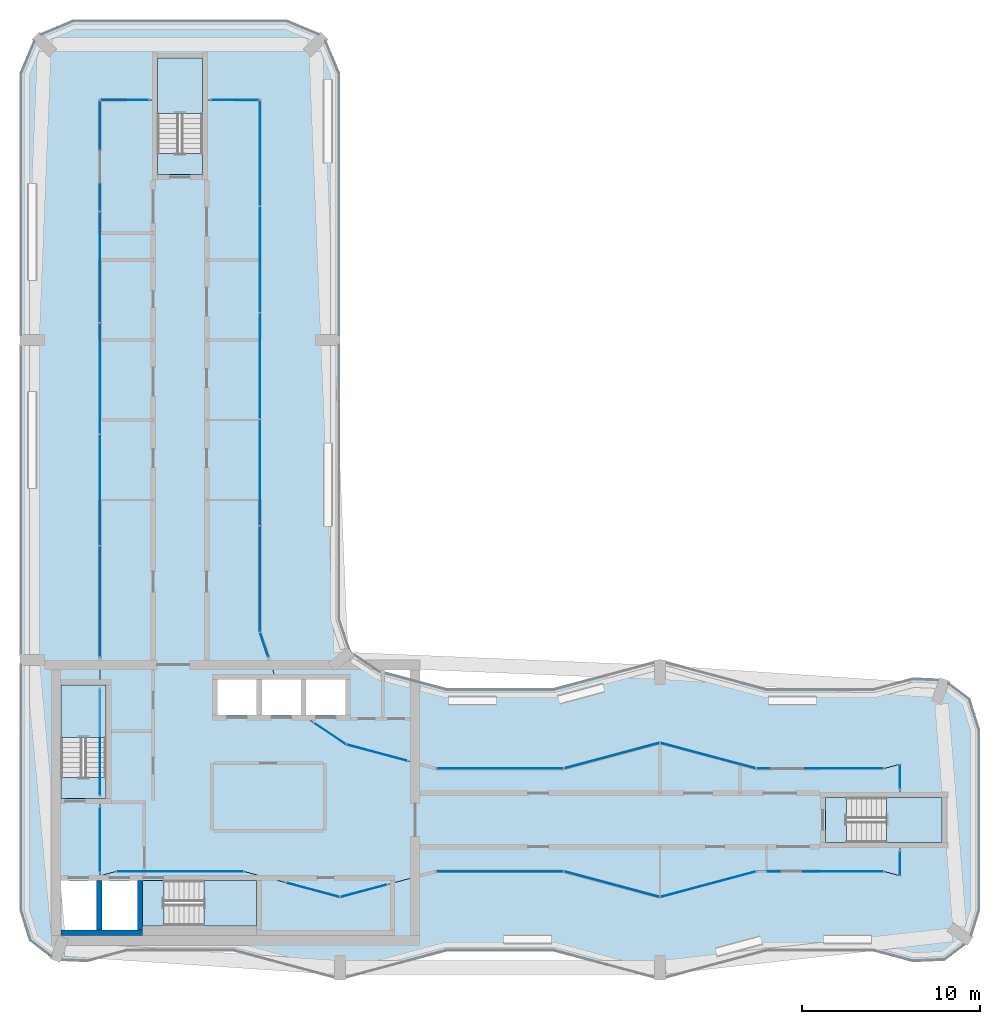
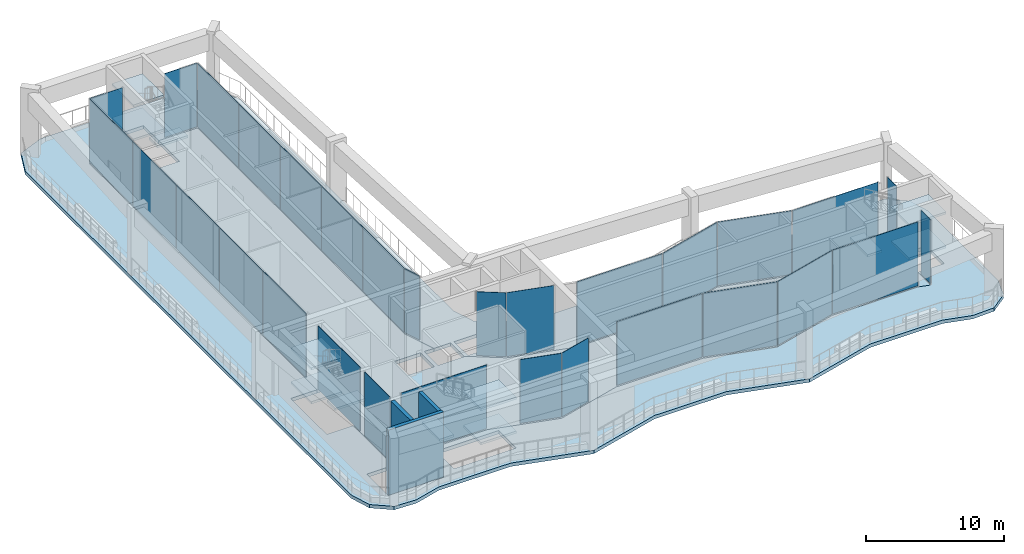
# One storey, part 9 of 17: 30 plates, 14 slabs, 3 walls, 26 elements without a shape of their own.
"""IFC4 building model written with IfcOpenShell, lengths in metres."""

from ifc_helpers import new_model, si_unit, direction, frame, frame_2d, origin, origin_2d, place, context, subcontext, project, spatial, polyline, rectangle, outline, extrude, material, layer, layer_set, type_object, element, aggregate, save


model = new_model("IFC4")

# Units and contexts
model_context = context("Model", 3, precision=1e-05, world=origin(), true_north=direction((0.0, 1.0)))
body_context = subcontext(model_context, "Body", "Model", "MODEL_VIEW")
ifc_project = project(units=[si_unit("LENGTHUNIT", "METRE"), si_unit("AREAUNIT", "SQUARE_METRE"), si_unit("VOLUMEUNIT", "CUBIC_METRE"), si_unit("PLANEANGLEUNIT", "RADIAN"), si_unit("MASSUNIT", "GRAM", prefix="KILO")], contexts=[model_context])

# Site, building, storey
site_placement = place(None, origin())
site = spatial("IfcSite", under=ifc_project, at=site_placement, CompositionType="ELEMENT")
building_placement = place(site_placement, origin())
building = spatial("IfcBuilding", under=site, at=building_placement, Name="Plateau Cross Towers", CompositionType="ELEMENT")
storey_placement = place(building_placement, frame((0.0, 0.0, 184.89990234375)))
storey = spatial("IfcBuildingStorey", under=building, at=storey_placement, Name="L48", CompositionType="ELEMENT", Elevation=184.89990234375)

# Curtain wall, plate
ifc_material_1 = material(Name="Dark low-iron glass", Category="glass")
ifc_layer_1 = layer(ifc_material_1, 0.239990234375)
ifc_layer_set_1 = layer_set([ifc_layer_1], Name="Dark low-iron glass")
curtain_wall_type = type_object("IfcCurtainWallType", Name="Curtain wall flush unitised CW-B", PredefinedType="NOTDEFINED", material=ifc_layer_set_1)
curtain_wall_1_placement = place(storey_placement, origin())
curtain_wall_1 = element("IfcCurtainWall", 1, at=curtain_wall_1_placement, inside=storey, type_object=curtain_wall_type, Name="ENV/A/L48/inner0_45_60", PredefinedType="NOTDEFINED")
ifc_layer_2 = layer(ifc_material_1, 0.031982421875)
ifc_layer_set_2 = layer_set([ifc_layer_2], Name="Dark low-iron glass")
plate_type = type_object("IfcPlateType", Name="Glass panel 32 flush unitised", PredefinedType="CURTAIN_PANEL", material=ifc_layer_set_2)
plate_1_placement = place(storey_placement, frame((4.5, 7.89990234375, 0.1201171875), z_axis=(0.0, 0.0, 1.0), x_axis=(0.0, 1.0, 0.0)))
plate_1 = element("IfcPlate", 2, at=plate_1_placement, type_object=plate_type, Name="CW-B panel 1", PredefinedType="CURTAIN_PANEL", context=body_context, shape_type="SweptSolid", body=[
    extrude(rectangle(XDim=3.639892578125, YDim=0.031982421875, at=origin_2d()), origin(), (0.0, 0.0, 1.0), 5.6298828125),
])
aggregate(curtain_wall_1, [plate_1])

curtain_wall_2_placement = place(storey_placement, origin())
curtain_wall_2 = element("IfcCurtainWall", 3, at=curtain_wall_2_placement, inside=storey, type_object=curtain_wall_type, Name="ENV/A/L48/inner0_45_104", PredefinedType="NOTDEFINED")
plate_2_placement = place(storey_placement, frame((4.5, 13.39990234375, 0.1201171875), z_axis=(0.0, 0.0, 1.0), x_axis=(0.0, 1.0, 0.0)))
plate_2 = element("IfcPlate", 4, at=plate_2_placement, type_object=plate_type, Name="CW-B panel 1", PredefinedType="CURTAIN_PANEL", context=body_context, shape_type="SweptSolid", body=[
    extrude(rectangle(XDim=6.0400390625, YDim=0.031982421875, at=origin_2d()), origin(), (0.0, 0.0, 1.0), 5.6298828125),
])
aggregate(curtain_wall_2, [plate_2])

# Curtain wall, plates
curtain_wall_3_placement = place(storey_placement, origin())
curtain_wall_3 = element("IfcCurtainWall", 5, at=curtain_wall_3_placement, inside=storey, type_object=curtain_wall_type, Name="ENV/A/L48/inner0_45_182", PredefinedType="NOTDEFINED")
plate_3_placement = place(storey_placement, frame((4.5, 21.284912109375, 0.1201171875), z_axis=(0.0, 0.0, 1.0), x_axis=(0.0, 1.0, 0.0)))
plate_3 = element("IfcPlate", 6, at=plate_3_placement, type_object=plate_type, Name="CW-B panel 1", PredefinedType="CURTAIN_PANEL", context=body_context, shape_type="SweptSolid", body=[
    extrude(rectangle(XDim=6.2099609375, YDim=0.031982421875, at=origin_2d()), origin(), (0.0, 0.0, 1.0), 5.6298828125),
])
plate_4_placement = place(storey_placement, frame((4.5, 27.554931640625, 0.1201171875), z_axis=(0.0, 0.0, 1.0), x_axis=(0.0, 1.0, 0.0)))
plate_4 = element("IfcPlate", 7, at=plate_4_placement, type_object=plate_type, Name="CW-B panel 2", PredefinedType="CURTAIN_PANEL", context=body_context, shape_type="SweptSolid", body=[
    extrude(rectangle(XDim=6.2099609375, YDim=0.031982421875, at=origin_2d()), origin(), (0.0, 0.0, 1.0), 5.6298828125),
])
plate_5_placement = place(storey_placement, frame((4.5, 33.824951171875, 0.1201171875), z_axis=(0.0, 0.0, 1.0), x_axis=(0.0, 1.0, 0.0)))
plate_5 = element("IfcPlate", 8, at=plate_5_placement, type_object=plate_type, Name="CW-B panel 3", PredefinedType="CURTAIN_PANEL", context=body_context, shape_type="SweptSolid", body=[
    extrude(rectangle(XDim=6.2099609375, YDim=0.031982421875, at=origin_2d()), origin(), (0.0, 0.0, 1.0), 5.6298828125),
])
plate_6_placement = place(storey_placement, frame((4.5, 40.094970703125, 0.1201171875), z_axis=(0.0, 0.0, 1.0), x_axis=(0.0, 1.0, 0.0)))
plate_6 = element("IfcPlate", 9, at=plate_6_placement, type_object=plate_type, Name="CW-B panel 4", PredefinedType="CURTAIN_PANEL", context=body_context, shape_type="SweptSolid", body=[
    extrude(rectangle(XDim=6.2099609375, YDim=0.031982421875, at=origin_2d()), origin(), (0.0, 0.0, 1.0), 5.6298828125),
])
plate_7_placement = place(storey_placement, frame((4.5, 46.364990234375, 0.1201171875), z_axis=(0.0, 0.0, 1.0), x_axis=(0.0, 1.0, 0.0)))
plate_7 = element("IfcPlate", 10, at=plate_7_placement, type_object=plate_type, Name="CW-B panel 5", PredefinedType="CURTAIN_PANEL", context=body_context, shape_type="SweptSolid", body=[
    extrude(rectangle(XDim=6.2099609375, YDim=0.031982421875, at=origin_2d()), origin(), (0.0, 0.0, 1.0), 5.6298828125),
])
aggregate(curtain_wall_3, [plate_3, plate_4, plate_5, plate_6, plate_7])

# Curtain wall, plate
curtain_wall_4_placement = place(storey_placement, origin())
curtain_wall_4 = element("IfcCurtainWall", 11, at=curtain_wall_4_placement, inside=storey, type_object=curtain_wall_type, Name="ENV/A/L48/inner0_45_495", PredefinedType="NOTDEFINED")
plate_8_placement = place(storey_placement, frame((5.887451171875, 49.5, 0.1201171875), z_axis=(0.0, 0.0, 1.0), x_axis=(1.0, 0.0, 0.0)))
plate_8 = element("IfcPlate", 12, at=plate_8_placement, type_object=plate_type, Name="CW-B panel 1", PredefinedType="CURTAIN_PANEL", context=body_context, shape_type="SweptSolid", body=[
    extrude(rectangle(XDim=2.715087890625, YDim=0.031982421875, at=origin_2d()), origin(), (0.0, 0.0, 1.0), 5.6298828125),
])
aggregate(curtain_wall_4, [plate_8])

curtain_wall_5_placement = place(storey_placement, origin())
curtain_wall_5 = element("IfcCurtainWall", 13, at=curtain_wall_5_placement, inside=storey, type_object=curtain_wall_type, Name="ENV/A/L48/inner0_107_495", PredefinedType="NOTDEFINED")
plate_9_placement = place(storey_placement, frame((12.112548828125, 49.5, 0.1201171875), z_axis=(0.0, 0.0, 1.0), x_axis=(1.0, 0.0, 0.0)))
plate_9 = element("IfcPlate", 14, at=plate_9_placement, type_object=plate_type, Name="CW-B panel 1", PredefinedType="CURTAIN_PANEL", context=body_context, shape_type="SweptSolid", body=[
    extrude(rectangle(XDim=2.715087890625, YDim=0.031982421875, at=origin_2d()), origin(), (0.0, 0.0, 1.0), 5.6298828125),
])
aggregate(curtain_wall_5, [plate_9])

# Curtain wall, plates
curtain_wall_6_placement = place(storey_placement, origin())
curtain_wall_6 = element("IfcCurtainWall", 15, at=curtain_wall_6_placement, inside=storey, type_object=curtain_wall_type, Name="ENV/A/L48/inner0_135_495", PredefinedType="NOTDEFINED")
plate_10_placement = place(storey_placement, frame((13.5, 46.505859375, 0.1201171875), z_axis=(0.0, 0.0, 1.0), x_axis=(0.0, -1.0, 0.0)))
plate_10 = element("IfcPlate", 16, at=plate_10_placement, type_object=plate_type, Name="CW-B panel 1", PredefinedType="CURTAIN_PANEL", context=body_context, shape_type="SweptSolid", body=[
    extrude(rectangle(XDim=5.92822265625, YDim=0.031982421875, at=origin_2d()), origin(), (0.0, 0.0, 1.0), 5.6298828125),
])
plate_11_placement = place(storey_placement, frame((13.5, 40.517822265625, 0.1201171875), z_axis=(0.0, 0.0, 1.0), x_axis=(0.0, -1.0, 0.0)))
plate_11 = element("IfcPlate", 17, at=plate_11_placement, type_object=plate_type, Name="CW-B panel 2", PredefinedType="CURTAIN_PANEL", context=body_context, shape_type="SweptSolid", body=[
    extrude(rectangle(XDim=5.92822265625, YDim=0.031982421875, at=origin_2d()), origin(), (0.0, 0.0, 1.0), 5.6298828125),
])
plate_12_placement = place(storey_placement, frame((13.5, 34.529541015625, 0.1201171875), z_axis=(0.0, 0.0, 1.0), x_axis=(0.0, -1.0, 0.0)))
plate_12 = element("IfcPlate", 18, at=plate_12_placement, type_object=plate_type, Name="CW-B panel 3", PredefinedType="CURTAIN_PANEL", context=body_context, shape_type="SweptSolid", body=[
    extrude(rectangle(XDim=5.92822265625, YDim=0.031982421875, at=origin_2d()), origin(), (0.0, 0.0, 1.0), 5.6298828125),
])
plate_13_placement = place(storey_placement, frame((13.5, 28.54150390625, 0.1201171875), z_axis=(0.0, 0.0, 1.0), x_axis=(0.0, -1.0, 0.0)))
plate_13 = element("IfcPlate", 19, at=plate_13_placement, type_object=plate_type, Name="CW-B panel 4", PredefinedType="CURTAIN_PANEL", context=body_context, shape_type="SweptSolid", body=[
    extrude(rectangle(XDim=5.92822265625, YDim=0.031982421875, at=origin_2d()), origin(), (0.0, 0.0, 1.0), 5.6298828125),
])
plate_14_placement = place(storey_placement, frame((13.5, 22.55322265625, 0.1201171875), z_axis=(0.0, 0.0, 1.0), x_axis=(0.0, -1.0, 0.0)))
plate_14 = element("IfcPlate", 20, at=plate_14_placement, type_object=plate_type, Name="CW-B panel 5", PredefinedType="CURTAIN_PANEL", context=body_context, shape_type="SweptSolid", body=[
    extrude(rectangle(XDim=5.92822265625, YDim=0.031982421875, at=origin_2d()), origin(), (0.0, 0.0, 1.0), 5.6298828125),
])
aggregate(curtain_wall_6, [plate_10, plate_11, plate_12, plate_13, plate_14])

# Curtain wall, plate
curtain_wall_7_placement = place(storey_placement, origin())
curtain_wall_7 = element("IfcCurtainWall", 21, at=curtain_wall_7_placement, inside=storey, type_object=curtain_wall_type, Name="ENV/A/L48/inner0_135_196", PredefinedType="NOTDEFINED")
plate_15_placement = place(storey_placement, frame((13.739501953125, 18.853759765625, 0.1201171875), z_axis=(0.0, 0.0, 1.0), x_axis=(0.321469161574, -0.94692004845, 0.0)))
plate_15 = element("IfcPlate", 22, at=plate_15_placement, type_object=plate_type, Name="CW-B panel 1", PredefinedType="CURTAIN_PANEL", context=body_context, shape_type="SweptSolid", body=[
    extrude(rectangle(XDim=1.429931640625, YDim=0.031982421875, at=origin_2d()), origin(), (0.0, 0.0, 1.0), 5.6298828125),
])
aggregate(curtain_wall_7, [plate_15])

curtain_wall_8_placement = place(storey_placement, origin())
curtain_wall_8 = element("IfcCurtainWall", 23, at=curtain_wall_8_placement, inside=storey, type_object=curtain_wall_type, Name="ENV/A/L48/inner0_165_145", PredefinedType="NOTDEFINED")
plate_16_placement = place(storey_placement, frame((17.433837890625, 13.856689453125, 0.1201171875), z_axis=(0.0, 0.0, 1.0), x_axis=(0.831521253329, -0.555492938984, 0.0)))
plate_16 = element("IfcPlate", 24, at=plate_16_placement, type_object=plate_type, Name="CW-B panel 1", PredefinedType="CURTAIN_PANEL", context=body_context, shape_type="SweptSolid", body=[
    extrude(rectangle(XDim=2.12451171875, YDim=0.031982421875, at=origin_2d()), origin(), (0.0, 0.0, 1.0), 5.6298828125),
])
aggregate(curtain_wall_8, [plate_16])

curtain_wall_9_placement = place(storey_placement, origin())
curtain_wall_9 = element("IfcCurtainWall", 25, at=curtain_wall_9_placement, inside=storey, type_object=curtain_wall_type, Name="ENV/A/L48/inner0_183_132", PredefinedType="NOTDEFINED")
plate_17_placement = place(storey_placement, frame((20.071533203125, 12.78662109375, 0.1201171875), z_axis=(0.0, 0.0, 1.0), x_axis=(0.965957995816, -0.258698956933, 0.0)))
plate_17 = element("IfcPlate", 26, at=plate_17_placement, type_object=plate_type, Name="CW-B panel 1", PredefinedType="CURTAIN_PANEL", context=body_context, shape_type="SweptSolid", body=[
    extrude(rectangle(XDim=3.52099609375, YDim=0.031982421875, at=origin_2d()), origin(), (0.0, 0.0, 1.0), 5.6298828125),
])
aggregate(curtain_wall_9, [plate_17])

curtain_wall_10_placement = place(storey_placement, origin())
curtain_wall_10 = element("IfcCurtainWall", 27, at=curtain_wall_10_placement, inside=storey, type_object=curtain_wall_type, Name="ENV/A/L48/inner0_234_119", PredefinedType="NOTDEFINED")
plate_18_placement = place(storey_placement, frame((27.0, 11.89306640625, 0.1201171875), z_axis=(0.0, 0.0, 1.0), x_axis=(1.0, 0.0, 0.0)))
plate_18 = element("IfcPlate", 28, at=plate_18_placement, type_object=plate_type, Name="CW-B panel 1", PredefinedType="CURTAIN_PANEL", context=body_context, shape_type="SweptSolid", body=[
    extrude(rectangle(XDim=7.124267578125, YDim=0.031982421875, at=origin_2d()), origin(), (0.0, 0.0, 1.0), 5.6298828125),
])
aggregate(curtain_wall_10, [plate_18])

curtain_wall_11_placement = place(storey_placement, origin())
curtain_wall_11 = element("IfcCurtainWall", 29, at=curtain_wall_11_placement, inside=storey, type_object=curtain_wall_type, Name="ENV/A/L48/inner0_306_119", PredefinedType="NOTDEFINED")
plate_19_placement = place(storey_placement, frame((33.296142578125, 12.6171875, 0.1201171875), z_axis=(0.0, 0.0, 1.0), x_axis=(0.965957983404, 0.258699003279, 0.0)))
plate_19 = element("IfcPlate", 30, at=plate_19_placement, type_object=plate_type, Name="CW-B panel 1", PredefinedType="CURTAIN_PANEL", context=body_context, shape_type="SweptSolid", body=[
    extrude(rectangle(XDim=5.538330078125, YDim=0.031982421875, at=origin_2d()), origin(), (0.0, 0.0, 1.0), 5.6298828125),
])
aggregate(curtain_wall_11, [plate_19])

curtain_wall_12_placement = place(storey_placement, origin())
curtain_wall_12 = element("IfcCurtainWall", 31, at=curtain_wall_12_placement, inside=storey, type_object=curtain_wall_type, Name="ENV/A/L48/inner0_360_133", PredefinedType="NOTDEFINED")
plate_20_placement = place(storey_placement, frame((38.703857421875, 12.6171875, 0.1201171875), z_axis=(0.0, 0.0, 1.0), x_axis=(0.965957983404, -0.258699003279, 0.0)))
plate_20 = element("IfcPlate", 32, at=plate_20_placement, type_object=plate_type, Name="CW-B panel 1", PredefinedType="CURTAIN_PANEL", context=body_context, shape_type="SweptSolid", body=[
    extrude(rectangle(XDim=5.538330078125, YDim=0.031982421875, at=origin_2d()), origin(), (0.0, 0.0, 1.0), 5.6298828125),
])
aggregate(curtain_wall_12, [plate_20])

curtain_wall_13_placement = place(storey_placement, origin())
curtain_wall_13 = element("IfcCurtainWall", 33, at=curtain_wall_13_placement, inside=storey, type_object=curtain_wall_type, Name="ENV/A/L48/inner0_414_119", PredefinedType="NOTDEFINED")
plate_21_placement = place(storey_placement, frame((45.0, 11.89306640625, 0.1201171875), z_axis=(0.0, 0.0, 1.0), x_axis=(1.0, 0.0, 0.0)))
plate_21 = element("IfcPlate", 34, at=plate_21_placement, type_object=plate_type, Name="CW-B panel 1", PredefinedType="CURTAIN_PANEL", context=body_context, shape_type="SweptSolid", body=[
    extrude(rectangle(XDim=7.124267578125, YDim=0.031982421875, at=origin_2d()), origin(), (0.0, 0.0, 1.0), 5.6298828125),
])
aggregate(curtain_wall_13, [plate_21])

curtain_wall_14_placement = place(storey_placement, origin())
curtain_wall_14 = element("IfcCurtainWall", 35, at=curtain_wall_14_placement, inside=storey, type_object=curtain_wall_type, Name="ENV/A/L48/inner0_495_121", PredefinedType="NOTDEFINED")
plate_22_placement = place(storey_placement, frame((49.5, 11.4306640625, 0.1201171875), z_axis=(0.0, 0.0, 1.0), x_axis=(0.0, -1.0, 0.0)))
plate_22 = element("IfcPlate", 36, at=plate_22_placement, type_object=plate_type, Name="CW-B panel 1", PredefinedType="CURTAIN_PANEL", context=body_context, shape_type="SweptSolid", body=[
    extrude(rectangle(XDim=1.351318359375, YDim=0.031982421875, at=origin_2d()), origin(), (0.0, 0.0, 1.0), 5.6298828125),
])
aggregate(curtain_wall_14, [plate_22])

curtain_wall_15_placement = place(storey_placement, origin())
curtain_wall_15 = element("IfcCurtainWall", 37, at=curtain_wall_15_placement, inside=storey, type_object=curtain_wall_type, Name="ENV/A/L48/inner0_495_73", PredefinedType="NOTDEFINED")
plate_23_placement = place(storey_placement, frame((49.5, 6.5693359375, 0.1201171875), z_axis=(0.0, 0.0, 1.0), x_axis=(0.0, -1.0, 0.0)))
plate_23 = element("IfcPlate", 38, at=plate_23_placement, type_object=plate_type, Name="CW-B panel 1", PredefinedType="CURTAIN_PANEL", context=body_context, shape_type="SweptSolid", body=[
    extrude(rectangle(XDim=1.351318359375, YDim=0.031982421875, at=origin_2d()), origin(), (0.0, 0.0, 1.0), 5.6298828125),
])
aggregate(curtain_wall_15, [plate_23])

curtain_wall_16_placement = place(storey_placement, origin())
curtain_wall_16 = element("IfcCurtainWall", 39, at=curtain_wall_16_placement, inside=storey, type_object=curtain_wall_type, Name="ENV/A/L48/inner0_486_61", PredefinedType="NOTDEFINED")
plate_24_placement = place(storey_placement, frame((45.0, 6.10693359375, 0.1201171875), z_axis=(0.0, 0.0, 1.0), x_axis=(-1.0, 0.0, 0.0)))
plate_24 = element("IfcPlate", 40, at=plate_24_placement, type_object=plate_type, Name="CW-B panel 1", PredefinedType="CURTAIN_PANEL", context=body_context, shape_type="SweptSolid", body=[
    extrude(rectangle(XDim=7.124267578125, YDim=0.031982421875, at=origin_2d()), origin(), (0.0, 0.0, 1.0), 5.6298828125),
])
aggregate(curtain_wall_16, [plate_24])

curtain_wall_17_placement = place(storey_placement, origin())
curtain_wall_17 = element("IfcCurtainWall", 41, at=curtain_wall_17_placement, inside=storey, type_object=curtain_wall_type, Name="ENV/A/L48/inner0_414_61", PredefinedType="NOTDEFINED")
plate_25_placement = place(storey_placement, frame((38.703857421875, 5.3828125, 0.1201171875), z_axis=(0.0, 0.0, 1.0), x_axis=(-0.965957983404, -0.258699003279, 0.0)))
plate_25 = element("IfcPlate", 42, at=plate_25_placement, type_object=plate_type, Name="CW-B panel 1", PredefinedType="CURTAIN_PANEL", context=body_context, shape_type="SweptSolid", body=[
    extrude(rectangle(XDim=5.538330078125, YDim=0.031982421875, at=origin_2d()), origin(), (0.0, 0.0, 1.0), 5.6298828125),
])
aggregate(curtain_wall_17, [plate_25])

curtain_wall_18_placement = place(storey_placement, origin())
curtain_wall_18 = element("IfcCurtainWall", 43, at=curtain_wall_18_placement, inside=storey, type_object=curtain_wall_type, Name="ENV/A/L48/inner0_360_47", PredefinedType="NOTDEFINED")
plate_26_placement = place(storey_placement, frame((33.296142578125, 5.3828125, 0.1201171875), z_axis=(0.0, 0.0, 1.0), x_axis=(-0.965957983404, 0.258699003279, 0.0)))
plate_26 = element("IfcPlate", 44, at=plate_26_placement, type_object=plate_type, Name="CW-B panel 1", PredefinedType="CURTAIN_PANEL", context=body_context, shape_type="SweptSolid", body=[
    extrude(rectangle(XDim=5.538330078125, YDim=0.031982421875, at=origin_2d()), origin(), (0.0, 0.0, 1.0), 5.6298828125),
])
aggregate(curtain_wall_18, [plate_26])

curtain_wall_19_placement = place(storey_placement, origin())
curtain_wall_19 = element("IfcCurtainWall", 45, at=curtain_wall_19_placement, inside=storey, type_object=curtain_wall_type, Name="ENV/A/L48/inner0_306_61", PredefinedType="NOTDEFINED")
plate_27_placement = place(storey_placement, frame((27.0, 6.10693359375, 0.1201171875), z_axis=(0.0, 0.0, 1.0), x_axis=(-1.0, 0.0, 0.0)))
plate_27 = element("IfcPlate", 46, at=plate_27_placement, type_object=plate_type, Name="CW-B panel 1", PredefinedType="CURTAIN_PANEL", context=body_context, shape_type="SweptSolid", body=[
    extrude(rectangle(XDim=7.124267578125, YDim=0.031982421875, at=origin_2d()), origin(), (0.0, 0.0, 1.0), 5.6298828125),
])
aggregate(curtain_wall_19, [plate_27])

curtain_wall_20_placement = place(storey_placement, origin())
curtain_wall_20 = element("IfcCurtainWall", 47, at=curtain_wall_20_placement, inside=storey, type_object=curtain_wall_type, Name="ENV/A/L48/inner0_207_54", PredefinedType="NOTDEFINED")
plate_28_placement = place(storey_placement, frame((19.325439453125, 5.013671875, 0.1201171875), z_axis=(0.0, 0.0, 1.0), x_axis=(-0.965957983404, -0.258699003279, 0.0)))
plate_28 = element("IfcPlate", 48, at=plate_28_placement, type_object=plate_type, Name="CW-B panel 1", PredefinedType="CURTAIN_PANEL", context=body_context, shape_type="SweptSolid", body=[
    extrude(rectangle(XDim=2.684326171875, YDim=0.031982421875, at=origin_2d()), origin(), (0.0, 0.0, 1.0), 5.6298828125),
])
aggregate(curtain_wall_20, [plate_28])

curtain_wall_21_placement = place(storey_placement, origin())
curtain_wall_21 = element("IfcCurtainWall", 49, at=curtain_wall_21_placement, inside=storey, type_object=curtain_wall_type, Name="ENV/A/L48/inner0_180_47", PredefinedType="NOTDEFINED")
plate_29_placement = place(storey_placement, frame((16.48095703125, 5.0654296875, 0.1201171875), z_axis=(0.0, 0.0, 1.0), x_axis=(-0.965957983404, 0.258699003279, 0.0)))
plate_29 = element("IfcPlate", 50, at=plate_29_placement, type_object=plate_type, Name="CW-B panel 1", PredefinedType="CURTAIN_PANEL", context=body_context, shape_type="SweptSolid", body=[
    extrude(rectangle(XDim=3.085205078125, YDim=0.031982421875, at=origin_2d()), origin(), (0.0, 0.0, 1.0), 5.6298828125),
])
aggregate(curtain_wall_21, [plate_29])

curtain_wall_22_placement = place(storey_placement, origin())
curtain_wall_22 = element("IfcCurtainWall", 51, at=curtain_wall_22_placement, inside=storey, type_object=curtain_wall_type, Name="ENV/A/L48/inner0_126_61", PredefinedType="NOTDEFINED")
plate_30_placement = place(storey_placement, frame((9.0, 6.10693359375, 0.1201171875), z_axis=(0.0, 0.0, 1.0), x_axis=(-1.0, 0.0, 0.0)))
plate_30 = element("IfcPlate", 52, at=plate_30_placement, type_object=plate_type, Name="CW-B panel 1", PredefinedType="CURTAIN_PANEL", context=body_context, shape_type="SweptSolid", body=[
    extrude(rectangle(XDim=7.124267578125, YDim=0.031982421875, at=origin_2d()), origin(), (0.0, 0.0, 1.0), 5.6298828125),
])
aggregate(curtain_wall_22, [plate_30])

# Slabs
ifc_material_2 = material(Name="Concrete C40/50", Category="concrete")
ifc_layer_3 = layer(ifc_material_2, 0.300048828125)
ifc_layer_set_3 = layer_set([ifc_layer_3], Name="Concrete C40/50")
slab_type_1 = type_object("IfcSlabType", Name="Post-tensioned deck slab 300", PredefinedType="FLOOR", material=ifc_layer_set_3)
slab_1_placement = place(storey_placement, frame((0.0, 0.0, -0.2998046875)))
element("IfcSlab", 53, at=slab_1_placement, inside=storey, type_object=slab_type_1, Name="SL-A-L48-WK", PredefinedType="FLOOR", context=body_context, shape_type="SweptSolid", body=[
    extrude(outline(polyline([(0.54248046875, 2.1884765625), (0.0, 3.9091796875), (0.0, 51.0), (0.878662109375, 53.121337890625), (3.0, 54.0), (15.0, 54.0), (17.121337890625, 53.121337890625), (18.0, 51.0), (18.0, 20.30224609375), (18.6201171875, 18.475830078125), (20.223876953125, 17.404296875), (24.0, 16.39306640625), (30.0, 16.39306640625), (36.0, 18.0), (42.0, 16.39306640625), (48.0, 16.39306640625), (50.223876953125, 16.98876953125), (52.0263671875, 16.909912109375), (53.45751953125, 15.8115234375), (54.0, 14.0908203125), (54.0, 3.9091796875), (53.45751953125, 2.1884765625), (52.0263671875, 1.090087890625), (50.223876953125, 1.01123046875), (48.0, 1.60693359375), (42.0, 1.60693359375), (36.0, 0.0), (30.0, 1.60693359375), (24.0, 1.60693359375), (18.0, 0.0), (12.0, 1.60693359375), (6.0, 1.60693359375), (3.776123046875, 1.01123046875), (1.9736328125, 1.090087890625), (0.54248046875, 2.1884765625)]), holes=[polyline([(2.300048828125, 5.60009765625), (2.300048828125, 2.800048828125), (4.300048828125, 2.800048828125), (4.300048828125, 5.60009765625), (2.300048828125, 5.60009765625)]), polyline([(4.60009765625, 5.60009765625), (4.60009765625, 2.800048828125), (6.60009765625, 2.800048828125), (6.60009765625, 5.60009765625), (4.60009765625, 5.60009765625)]), polyline([(8.10009765625, 5.60009765625), (8.10009765625, 3.050048828125), (13.300048828125, 3.050048828125), (13.300048828125, 5.60009765625), (8.10009765625, 5.60009765625)]), polyline([(49.5, 10.27490234375), (49.5, 12.13623046875), (48.592041015625, 11.89306640625), (41.407958984375, 11.89306640625), (36.0, 13.34130859375), (30.592041015625, 11.89306640625), (23.407958984375, 11.89306640625), (18.342041015625, 13.249755859375), (15.800048828125, 14.947998046875), (15.800048828125, 16.89990234375), (14.40283203125, 16.89990234375), (13.5, 19.559326171875), (13.5, 49.5), (10.27490234375, 49.5), (10.27490234375, 51.699951171875), (7.72509765625, 51.699951171875), (7.72509765625, 49.5), (4.5, 49.5), (4.5, 16.60009765625), (2.300048828125, 16.60009765625), (2.300048828125, 11.39990234375), (4.5, 11.39990234375), (4.5, 5.86376953125), (5.407958984375, 6.10693359375), (12.592041015625, 6.10693359375), (18.0, 4.65869140625), (23.407958984375, 6.10693359375), (30.592041015625, 6.10693359375), (36.0, 4.65869140625), (41.407958984375, 6.10693359375), (48.592041015625, 6.10693359375), (49.5, 5.86376953125), (49.5, 7.72509765625), (51.699951171875, 7.72509765625), (51.699951171875, 10.27490234375), (49.5, 10.27490234375)]), polyline([(18.300048828125, 16.89990234375), (16.10009765625, 16.89990234375), (16.10009765625, 14.89990234375), (18.300048828125, 14.89990234375), (18.300048828125, 16.89990234375)])]), origin(), (0.0, 0.0, 1.0), 0.2998046875),
])
ifc_layer_4 = layer(ifc_material_2, 0.300048828125)
ifc_layer_set_4 = layer_set([ifc_layer_4], Name="Concrete C40/50")
slab_type_2 = type_object("IfcSlabType", Name="Post-tensioned flat plate slab 300", PredefinedType="FLOOR", material=ifc_layer_set_4)
slab_2_placement = place(storey_placement, frame((0.0, 0.0, -0.2998046875)))
element("IfcSlab", 54, at=slab_2_placement, inside=storey, type_object=slab_type_2, Name="SL-A-L48", PredefinedType="FLOOR", context=body_context, shape_type="SweptSolid", body=[
    extrude(outline(polyline([(46.5, 10.27490234375), (46.5, 7.72509765625), (49.5, 7.72509765625), (49.5, 5.86376953125), (48.592041015625, 6.10693359375), (41.407958984375, 6.10693359375), (36.0, 4.65869140625), (30.592041015625, 6.10693359375), (23.407958984375, 6.10693359375), (18.0, 4.65869140625), (12.592041015625, 6.10693359375), (5.407958984375, 6.10693359375), (4.5, 5.86376953125), (4.5, 11.39990234375), (4.85009765625, 11.39990234375), (4.85009765625, 16.60009765625), (4.5, 16.60009765625), (4.5, 49.5), (7.72509765625, 49.5), (7.72509765625, 46.5), (10.27490234375, 46.5), (10.27490234375, 49.5), (13.5, 49.5), (13.5, 19.559326171875), (14.40283203125, 16.89990234375), (13.60009765625, 16.89990234375), (13.60009765625, 14.89990234375), (15.800048828125, 14.89990234375), (15.800048828125, 14.947998046875), (18.342041015625, 13.249755859375), (23.407958984375, 11.89306640625), (30.592041015625, 11.89306640625), (36.0, 13.34130859375), (41.407958984375, 11.89306640625), (48.592041015625, 11.89306640625), (49.5, 12.13623046875), (49.5, 10.27490234375), (46.5, 10.27490234375)]), holes=[polyline([(11.10009765625, 16.89990234375), (11.10009765625, 14.89990234375), (13.300048828125, 14.89990234375), (13.300048828125, 16.89990234375), (11.10009765625, 16.89990234375)])]), origin(), (0.0, 0.0, 1.0), 0.2998046875),
])

# Stair, slabs
stair_type = type_object("IfcStairType", Name="ST-TWR", PredefinedType="HALF_TURN_STAIR", material=ifc_material_2)
stair_1_placement = place(storey_placement, origin())
stair_1 = element("IfcStair", 55, at=stair_1_placement, inside=storey, type_object=stair_type, Name="L48 Protected Exit Stair ST-1", PredefinedType="HALF_TURN_STAIR")
ifc_layer_5 = layer(ifc_material_2, 0.199951171875)
ifc_layer_set_5 = layer_set([ifc_layer_5], Name="Concrete C40/50")
slab_type_3 = type_object("IfcSlabType", Name="SL-LANDING", PredefinedType="LANDING", material=ifc_layer_set_5)
slab_3_placement = place(storey_placement, frame((0.0, 0.0, 1.300048828125)))
slab_3 = element("IfcSlab", 56, at=slab_3_placement, type_object=slab_type_3, Name="ST-1 landing 1", PredefinedType="LANDING", context=body_context, shape_type="SweptSolid", body=[
    extrude(outline(polyline([(4.85009765625, 13.639892578125), (4.85009765625, 16.60009765625), (2.300048828125, 16.60009765625), (2.300048828125, 13.639892578125), (4.85009765625, 13.639892578125)])), origin(), (0.0, 0.0, 1.0), 0.199951171875),
])
slab_4_placement = place(storey_placement, frame((0.0, 0.0, 2.800048828125)))
slab_4 = element("IfcSlab", 57, at=slab_4_placement, type_object=slab_type_3, Name="ST-1 landing 2", PredefinedType="LANDING", context=body_context, shape_type="SweptSolid", body=[
    extrude(outline(polyline([(4.85009765625, 10.199951171875), (4.85009765625, 11.39990234375), (2.300048828125, 11.39990234375), (2.300048828125, 10.199951171875), (4.85009765625, 10.199951171875)])), origin(), (0.0, 0.0, 1.0), 0.199951171875),
])
slab_5_placement = place(storey_placement, frame((0.0, 0.0, 4.300048828125)))
slab_5 = element("IfcSlab", 58, at=slab_5_placement, type_object=slab_type_3, Name="ST-1 landing 3", PredefinedType="LANDING", context=body_context, shape_type="SweptSolid", body=[
    extrude(outline(polyline([(4.85009765625, 13.639892578125), (4.85009765625, 16.60009765625), (2.300048828125, 16.60009765625), (2.300048828125, 13.639892578125), (4.85009765625, 13.639892578125)])), origin(), (0.0, 0.0, 1.0), 0.199951171875),
])
aggregate(stair_1, [slab_3, slab_4, slab_5])

stair_2_placement = place(storey_placement, origin())
stair_2 = element("IfcStair", 59, at=stair_2_placement, inside=storey, type_object=stair_type, Name="L48 Protected Exit Stair ST-2", PredefinedType="HALF_TURN_STAIR")
slab_6_placement = place(storey_placement, frame((0.0, 0.0, 1.300048828125)))
slab_6 = element("IfcSlab", 60, at=slab_6_placement, type_object=slab_type_3, Name="ST-2 landing 1", PredefinedType="LANDING", context=body_context, shape_type="SweptSolid", body=[
    extrude(outline(polyline([(10.340087890625, 3.050048828125), (13.300048828125, 3.050048828125), (13.300048828125, 5.60009765625), (10.340087890625, 5.60009765625), (10.340087890625, 3.050048828125)])), origin(), (0.0, 0.0, 1.0), 0.199951171875),
])
slab_7_placement = place(storey_placement, frame((0.0, 0.0, 2.800048828125)))
slab_7 = element("IfcSlab", 61, at=slab_7_placement, type_object=slab_type_3, Name="ST-2 landing 2", PredefinedType="LANDING", context=body_context, shape_type="SweptSolid", body=[
    extrude(outline(polyline([(6.89990234375, 3.050048828125), (8.10009765625, 3.050048828125), (8.10009765625, 5.60009765625), (6.89990234375, 5.60009765625), (6.89990234375, 3.050048828125)])), origin(), (0.0, 0.0, 1.0), 0.199951171875),
])
slab_8_placement = place(storey_placement, frame((0.0, 0.0, 4.300048828125)))
slab_8 = element("IfcSlab", 62, at=slab_8_placement, type_object=slab_type_3, Name="ST-2 landing 3", PredefinedType="LANDING", context=body_context, shape_type="SweptSolid", body=[
    extrude(outline(polyline([(10.340087890625, 3.050048828125), (13.300048828125, 3.050048828125), (13.300048828125, 5.60009765625), (10.340087890625, 5.60009765625), (10.340087890625, 3.050048828125)])), origin(), (0.0, 0.0, 1.0), 0.199951171875),
])
aggregate(stair_2, [slab_6, slab_7, slab_8])

stair_3_placement = place(storey_placement, origin())
stair_3 = element("IfcStair", 63, at=stair_3_placement, inside=storey, type_object=stair_type, Name="L48 Protected Exit Stair E", PredefinedType="HALF_TURN_STAIR")
slab_9_placement = place(storey_placement, frame((0.0, 0.0, 1.300048828125)))
slab_9 = element("IfcSlab", 64, at=slab_9_placement, type_object=slab_type_3, Name="ES-E landing 1", PredefinedType="LANDING", context=body_context, shape_type="SweptSolid", body=[
    extrude(outline(polyline([(48.739990234375, 7.72509765625), (51.85009765625, 7.72509765625), (51.85009765625, 10.27490234375), (48.739990234375, 10.27490234375), (48.739990234375, 7.72509765625)])), origin(), (0.0, 0.0, 1.0), 0.199951171875),
])
slab_10_placement = place(storey_placement, frame((0.0, 0.0, 2.800048828125)))
slab_10 = element("IfcSlab", 65, at=slab_10_placement, type_object=slab_type_3, Name="ES-E landing 2", PredefinedType="LANDING", context=body_context, shape_type="SweptSolid", body=[
    extrude(outline(polyline([(45.300048828125, 7.72509765625), (46.5, 7.72509765625), (46.5, 10.27490234375), (45.300048828125, 10.27490234375), (45.300048828125, 7.72509765625)])), origin(), (0.0, 0.0, 1.0), 0.199951171875),
])
slab_11_placement = place(storey_placement, frame((0.0, 0.0, 4.300048828125)))
slab_11 = element("IfcSlab", 66, at=slab_11_placement, type_object=slab_type_3, Name="ES-E landing 3", PredefinedType="LANDING", context=body_context, shape_type="SweptSolid", body=[
    extrude(outline(polyline([(48.739990234375, 7.72509765625), (51.85009765625, 7.72509765625), (51.85009765625, 10.27490234375), (48.739990234375, 10.27490234375), (48.739990234375, 7.72509765625)])), origin(), (0.0, 0.0, 1.0), 0.199951171875),
])
aggregate(stair_3, [slab_9, slab_10, slab_11])

stair_4_placement = place(storey_placement, origin())
stair_4 = element("IfcStair", 67, at=stair_4_placement, inside=storey, type_object=stair_type, Name="L48 Protected Exit Stair N", PredefinedType="HALF_TURN_STAIR")
slab_12_placement = place(storey_placement, frame((0.0, 0.0, 1.300048828125)))
slab_12 = element("IfcSlab", 68, at=slab_12_placement, type_object=slab_type_3, Name="ES-N landing 1", PredefinedType="LANDING", context=body_context, shape_type="SweptSolid", body=[
    extrude(outline(polyline([(10.27490234375, 48.739990234375), (10.27490234375, 51.85009765625), (7.72509765625, 51.85009765625), (7.72509765625, 48.739990234375), (10.27490234375, 48.739990234375)])), origin(), (0.0, 0.0, 1.0), 0.199951171875),
])
slab_13_placement = place(storey_placement, frame((0.0, 0.0, 2.800048828125)))
slab_13 = element("IfcSlab", 69, at=slab_13_placement, type_object=slab_type_3, Name="ES-N landing 2", PredefinedType="LANDING", context=body_context, shape_type="SweptSolid", body=[
    extrude(outline(polyline([(10.27490234375, 45.300048828125), (10.27490234375, 46.5), (7.72509765625, 46.5), (7.72509765625, 45.300048828125), (10.27490234375, 45.300048828125)])), origin(), (0.0, 0.0, 1.0), 0.199951171875),
])
slab_14_placement = place(storey_placement, frame((0.0, 0.0, 4.300048828125)))
slab_14 = element("IfcSlab", 70, at=slab_14_placement, type_object=slab_type_3, Name="ES-N landing 3", PredefinedType="LANDING", context=body_context, shape_type="SweptSolid", body=[
    extrude(outline(polyline([(10.27490234375, 48.739990234375), (10.27490234375, 51.85009765625), (7.72509765625, 51.85009765625), (7.72509765625, 48.739990234375), (10.27490234375, 48.739990234375)])), origin(), (0.0, 0.0, 1.0), 0.199951171875),
])
aggregate(stair_4, [slab_12, slab_13, slab_14])

# Walls
ifc_material_3 = material(Name="Concrete C60/75", Category="concrete")
ifc_layer_6 = layer(ifc_material_3, 0.300048828125)
ifc_layer_set_6 = layer_set([ifc_layer_6], Name="Concrete C60/75")
wall_type = type_object("IfcWallType", Name="Core shaft wall 300", PredefinedType="SHEAR", material=ifc_layer_set_6)
wall_placement = place(storey_placement, frame((2.300048828125, 2.64990234375, 0.0), z_axis=(0.0, 0.0, 1.0), x_axis=(1.0, 0.0, 0.0)))
element("IfcWall", 71, at=wall_placement, inside=storey, type_object=wall_type, Name="A-sb-back1@L48", PredefinedType="SHEAR", context=body_context, shape_type="SweptSolid", body=[
    extrude(rectangle(XDim=4.599853515625, YDim=0.300048828125, at=frame_2d((2.2998046875, 0.0))), origin(), (0.0, 0.0, 1.0), 5.75),
])
for number, where, z_axis, x_axis, name in (
    (72, (4.449951171875, 2.800048828125, 0.0), (0.0, 0.0, 1.0), (0.0, 1.0, 0.0), "A-sb-v1@L48"),
    (73, (6.75, 2.800048828125, 0.0), (0.0, 0.0, 1.0), (0.0, 1.0, 0.0), "A-sb-v2@L48"),
):
    element("IfcWall", number, at=place(storey_placement, frame(where, z_axis=z_axis, x_axis=x_axis)), inside=storey, type_object=wall_type, Name=name, PredefinedType="SHEAR", context=body_context, shape_type="SweptSolid", body=[
        extrude(rectangle(XDim=2.800048828125, YDim=0.300048828125, at=frame_2d((1.39990234375, 0.0))), origin(), (0.0, 0.0, 1.0), 5.75),
    ])

save(model, "model.ifc")
